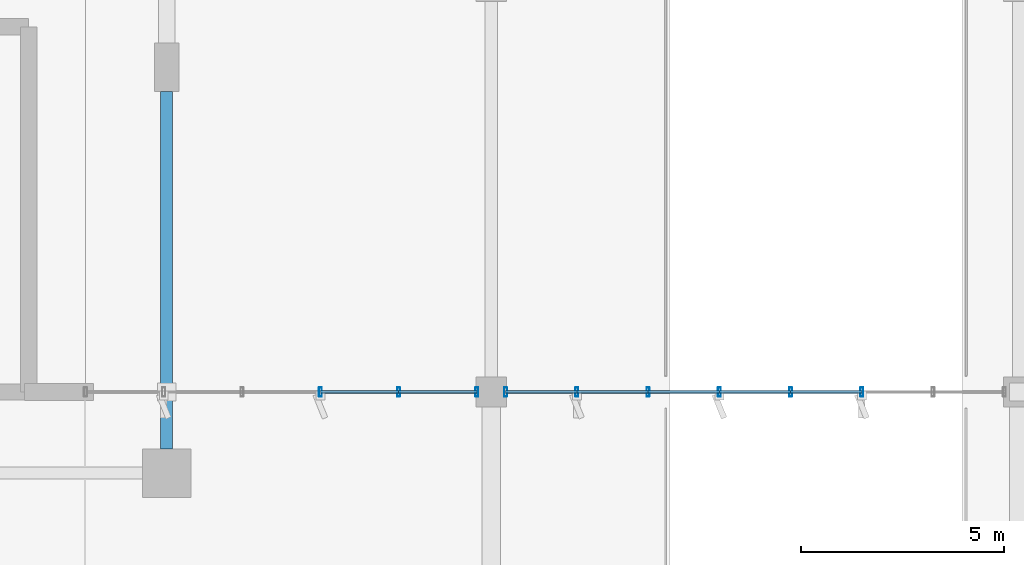
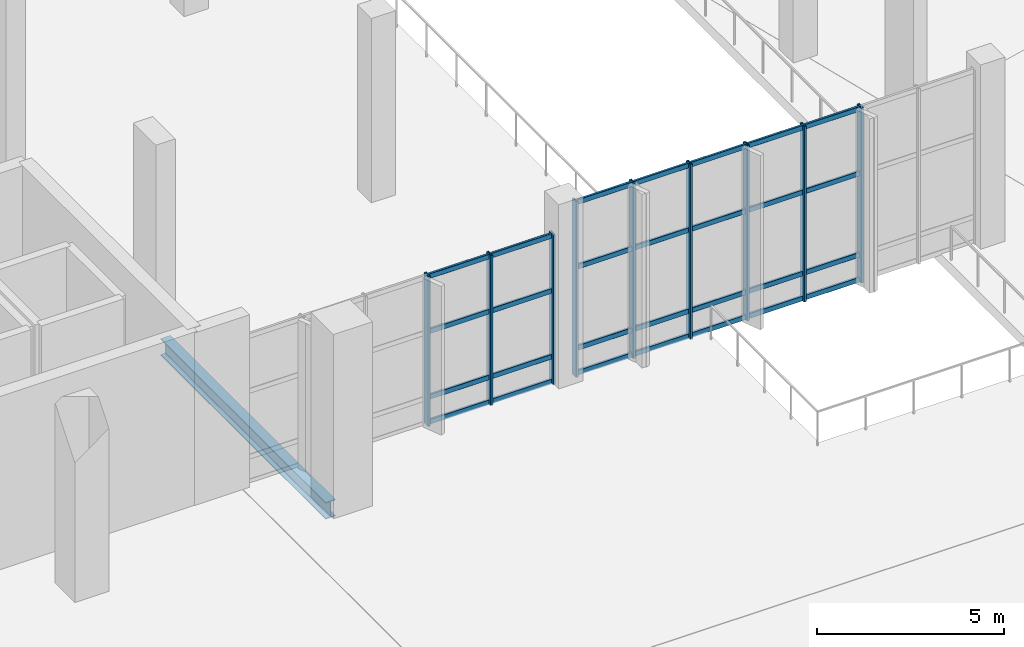
# One storey, part 81 of 163: 37 members, 1 beam, 2 elements without a shape of their own.
"""IFC4 building model written with IfcOpenShell, lengths in metres."""

from ifc_helpers import new_model, si_unit, direction, frame, origin, origin_2d, place, context, subcontext, project, spatial, hollow_rectangle, i_section, extrude, material, layer, layer_set, material_profile, profile_set, type_object, element, aggregate, save


model = new_model("IFC4")

# Units and contexts
model_context = context("Model", 3, precision=1e-05, world=origin(), true_north=direction((0.0, 1.0)))
body_context = subcontext(model_context, "Body", "Model", "MODEL_VIEW")
ifc_project = project(units=[si_unit("LENGTHUNIT", "METRE"), si_unit("AREAUNIT", "SQUARE_METRE"), si_unit("VOLUMEUNIT", "CUBIC_METRE"), si_unit("PLANEANGLEUNIT", "RADIAN"), si_unit("MASSUNIT", "GRAM", prefix="KILO")], contexts=[model_context])

# Site, building, storey
site_placement = place(None, origin())
site = spatial("IfcSite", under=ifc_project, at=site_placement, CompositionType="ELEMENT")
building_placement = place(site_placement, origin())
building = spatial("IfcBuilding", under=site, at=building_placement, Name="Khorjan Park Terminus", CompositionType="ELEMENT")
storey_placement = place(building_placement, origin())
storey = spatial("IfcBuildingStorey", under=building, at=storey_placement, Name="L00", CompositionType="ELEMENT", Elevation=0.0)

# Beam
ifc_material_1 = material(Name="Steel S355", Category="steel")
ifc_material_profile_1 = material_profile(ifc_material_1, i_section(OverallWidth=0.3, OverallDepth=0.55, WebThickness=0.015, FlangeThickness=0.029, FilletRadius=0.027, at=origin_2d()), Name="HEB 550")
ifc_profile_set_1 = profile_set([ifc_material_profile_1], Name="Steel S355")
beam_type = type_object("IfcBeamType", Name="BM-HEB550", PredefinedType="BEAM", material=ifc_profile_set_1)
beam_placement = place(storey_placement, frame((136.0, 26.595, -0.625), z_axis=(0.0, 1.0, 0.0), x_axis=(-1.0, 0.0, 0.0)))
element("IfcBeam", 1, at=beam_placement, inside=storey, type_object=beam_type, Name="Primary floor girder SB-B55 (L00)", PredefinedType="BEAM", context=body_context, shape_type="SweptSolid", body=[
    extrude(i_section(OverallWidth=0.3, OverallDepth=0.55, WebThickness=0.015, FlangeThickness=0.029, FilletRadius=0.027, at=origin_2d()), origin(), (0.0, 0.0, 1.0), 8.81),
])

# Curtain wall, members
ifc_material_2 = material(Name="Anodized Bronze Aluminium", Category="aluminium")
ifc_layer = layer(ifc_material_2, 0.22)
ifc_layer_set = layer_set([ifc_layer], Name="Anodized Bronze Aluminium")
curtain_wall_type = type_object("IfcCurtainWallType", Name="CW-OPS-B", PredefinedType="NOTDEFINED", material=ifc_layer_set)
curtain_wall_1_placement = place(storey_placement, origin())
curtain_wall_1 = element("IfcCurtainWall", 2, at=curtain_wall_1_placement, inside=storey, type_object=curtain_wall_type, Name="Unitized curtain wall CW-B (CW-V5L-S-L00-1)", PredefinedType="NOTDEFINED")
ifc_material_profile_2 = material_profile(ifc_material_2, hollow_rectangle(XDim=0.075, YDim=0.225, WallThickness=0.005, InnerFilletRadius=0.005, OuterFilletRadius=0.01, at=origin_2d()), Name="ALM 75x225x5")
ifc_profile_set_2 = profile_set([ifc_material_profile_2], Name="Anodized Bronze Aluminium")
member_type_1 = type_object("IfcMemberType", Name="ML-ALM-225", PredefinedType="MULLION", material=ifc_profile_set_2)
member_1_placement = place(storey_placement, frame((139.787, 28.0, -0.035), z_axis=(0.0, 0.0, 1.0), x_axis=(1.0, 0.0, 0.0)))
member_1 = element("IfcMember", 3, at=member_1_placement, type_object=member_type_1, Name="Curtain-wall mullion ML-22 (CW-V5L-S-L00-1-3)", PredefinedType="MULLION", context=body_context, shape_type="SweptSolid", body=[
    extrude(hollow_rectangle(XDim=0.075, YDim=0.225, WallThickness=0.005, InnerFilletRadius=0.005, OuterFilletRadius=0.01, at=origin_2d()), origin(), (0.0, 0.0, 1.0), 4.895),
])
member_2_placement = place(storey_placement, frame((141.716, 28.0, -0.035), z_axis=(0.0, 0.0, 1.0), x_axis=(1.0, 0.0, 0.0)))
member_2 = element("IfcMember", 4, at=member_2_placement, type_object=member_type_1, Name="Curtain-wall mullion ML-22 (CW-V5L-S-L00-1-4)", PredefinedType="MULLION", context=body_context, shape_type="SweptSolid", body=[
    extrude(hollow_rectangle(XDim=0.075, YDim=0.225, WallThickness=0.005, InnerFilletRadius=0.005, OuterFilletRadius=0.01, at=origin_2d()), origin(), (0.0, 0.0, 1.0), 4.895),
])
member_3_placement = place(storey_placement, frame((143.645, 28.0, -0.035), z_axis=(0.0, 0.0, 1.0), x_axis=(1.0, 0.0, 0.0)))
member_3 = element("IfcMember", 5, at=member_3_placement, type_object=member_type_1, Name="Curtain-wall mullion ML-22 (CW-V5L-S-L00-1-5)", PredefinedType="MULLION", context=body_context, shape_type="SweptSolid", body=[
    extrude(hollow_rectangle(XDim=0.075, YDim=0.225, WallThickness=0.005, InnerFilletRadius=0.005, OuterFilletRadius=0.01, at=origin_2d()), origin(), (0.0, 0.0, 1.0), 4.895),
])

curtain_wall_2_placement = place(storey_placement, origin())
curtain_wall_2 = element("IfcCurtainWall", 6, at=curtain_wall_2_placement, inside=storey, type_object=curtain_wall_type, Name="Unitized curtain wall CW-B (CW-V5L-S-L00-2)", PredefinedType="NOTDEFINED")
member_4_placement = place(storey_placement, frame((144.355, 28.0, -0.035), z_axis=(0.0, 0.0, 1.0), x_axis=(1.0, 0.0, 0.0)))
member_4 = element("IfcMember", 7, at=member_4_placement, type_object=member_type_1, Name="Curtain-wall mullion ML-22 (CW-V5L-S-L00-2-0)", PredefinedType="MULLION", context=body_context, shape_type="SweptSolid", body=[
    extrude(hollow_rectangle(XDim=0.075, YDim=0.225, WallThickness=0.005, InnerFilletRadius=0.005, OuterFilletRadius=0.01, at=origin_2d()), origin(), (0.0, 0.0, 1.0), 5.71),
])
member_5_placement = place(storey_placement, frame((146.1107, 28.0, -0.035), z_axis=(0.0, 0.0, 1.0), x_axis=(1.0, 0.0, 0.0)))
member_5 = element("IfcMember", 8, at=member_5_placement, type_object=member_type_1, Name="Curtain-wall mullion ML-22 (CW-V5L-S-L00-2-1)", PredefinedType="MULLION", context=body_context, shape_type="SweptSolid", body=[
    extrude(hollow_rectangle(XDim=0.075, YDim=0.225, WallThickness=0.005, InnerFilletRadius=0.005, OuterFilletRadius=0.01, at=origin_2d()), origin(), (0.0, 0.0, 1.0), 5.71),
])
member_6_placement = place(storey_placement, frame((147.8664, 28.0, -0.035), z_axis=(0.0, 0.0, 1.0), x_axis=(1.0, 0.0, 0.0)))
member_6 = element("IfcMember", 9, at=member_6_placement, type_object=member_type_1, Name="Curtain-wall mullion ML-22 (CW-V5L-S-L00-2-2)", PredefinedType="MULLION", context=body_context, shape_type="SweptSolid", body=[
    extrude(hollow_rectangle(XDim=0.075, YDim=0.225, WallThickness=0.005, InnerFilletRadius=0.005, OuterFilletRadius=0.01, at=origin_2d()), origin(), (0.0, 0.0, 1.0), 5.71),
])
member_7_placement = place(storey_placement, frame((149.6221, 28.0, -0.035), z_axis=(0.0, 0.0, 1.0), x_axis=(1.0, 0.0, 0.0)))
member_7 = element("IfcMember", 10, at=member_7_placement, type_object=member_type_1, Name="Curtain-wall mullion ML-22 (CW-V5L-S-L00-2-3)", PredefinedType="MULLION", context=body_context, shape_type="SweptSolid", body=[
    extrude(hollow_rectangle(XDim=0.075, YDim=0.225, WallThickness=0.005, InnerFilletRadius=0.005, OuterFilletRadius=0.01, at=origin_2d()), origin(), (0.0, 0.0, 1.0), 5.71),
])
member_8_placement = place(storey_placement, frame((151.3779, 28.0, -0.035), z_axis=(0.0, 0.0, 1.0), x_axis=(1.0, 0.0, 0.0)))
member_8 = element("IfcMember", 11, at=member_8_placement, type_object=member_type_1, Name="Curtain-wall mullion ML-22 (CW-V5L-S-L00-2-4)", PredefinedType="MULLION", context=body_context, shape_type="SweptSolid", body=[
    extrude(hollow_rectangle(XDim=0.075, YDim=0.225, WallThickness=0.005, InnerFilletRadius=0.005, OuterFilletRadius=0.01, at=origin_2d()), origin(), (0.0, 0.0, 1.0), 5.71),
])
member_9_placement = place(storey_placement, frame((153.1336, 28.0, -0.035), z_axis=(0.0, 0.0, 1.0), x_axis=(1.0, 0.0, 0.0)))
member_9 = element("IfcMember", 12, at=member_9_placement, type_object=member_type_1, Name="Curtain-wall mullion ML-22 (CW-V5L-S-L00-2-5)", PredefinedType="MULLION", context=body_context, shape_type="SweptSolid", body=[
    extrude(hollow_rectangle(XDim=0.075, YDim=0.225, WallThickness=0.005, InnerFilletRadius=0.005, OuterFilletRadius=0.01, at=origin_2d()), origin(), (0.0, 0.0, 1.0), 5.71),
])

# Member
ifc_material_profile_3 = material_profile(ifc_material_2, hollow_rectangle(XDim=0.07, YDim=0.16, WallThickness=0.004, InnerFilletRadius=0.004, OuterFilletRadius=0.008, at=origin_2d()), Name="ALT 70x160x4")
ifc_profile_set_3 = profile_set([ifc_material_profile_3], Name="Anodized Bronze Aluminium")
member_type_2 = type_object("IfcMemberType", Name="TR-ALT-160", PredefinedType="USERDEFINED", material=ifc_profile_set_3)
member_10_placement = place(storey_placement, frame((139.787, 28.0, 0.04), z_axis=(1.0, 0.0, 0.0), x_axis=(0.0, 1.0, 0.0)))
member_10 = element("IfcMember", 13, at=member_10_placement, type_object=member_type_2, Name="Curtain-wall transom TR-16 (CW-V5L-S-L00-1-3-1)", ObjectType="TRANSOM", PredefinedType="USERDEFINED", context=body_context, shape_type="SweptSolid", body=[
    extrude(hollow_rectangle(XDim=0.07, YDim=0.16, WallThickness=0.004, InnerFilletRadius=0.004, OuterFilletRadius=0.008, at=origin_2d()), origin(), (0.0, 0.0, 1.0), 1.929),
])

member_11_placement = place(storey_placement, frame((139.787, 28.0, 0.85), z_axis=(1.0, 0.0, 0.0), x_axis=(0.0, 1.0, 0.0)))
member_11 = element("IfcMember", 14, at=member_11_placement, type_object=member_type_2, Name="Curtain-wall transom TR-16 (CW-V5L-S-L00-1-3-2)", ObjectType="TRANSOM", PredefinedType="USERDEFINED", context=body_context, shape_type="SweptSolid", body=[
    extrude(hollow_rectangle(XDim=0.07, YDim=0.16, WallThickness=0.004, InnerFilletRadius=0.004, OuterFilletRadius=0.008, at=origin_2d()), origin(), (0.0, 0.0, 1.0), 1.929),
])

member_12_placement = place(storey_placement, frame((139.787, 28.0, 2.9915), z_axis=(1.0, 0.0, 0.0), x_axis=(0.0, 1.0, 0.0)))
member_12 = element("IfcMember", 15, at=member_12_placement, type_object=member_type_2, Name="Curtain-wall transom TR-16 (CW-V5L-S-L00-1-3-3)", ObjectType="TRANSOM", PredefinedType="USERDEFINED", context=body_context, shape_type="SweptSolid", body=[
    extrude(hollow_rectangle(XDim=0.07, YDim=0.16, WallThickness=0.004, InnerFilletRadius=0.004, OuterFilletRadius=0.008, at=origin_2d()), origin(), (0.0, 0.0, 1.0), 1.929),
])

member_13_placement = place(storey_placement, frame((139.787, 28.0, 4.785), z_axis=(1.0, 0.0, 0.0), x_axis=(0.0, 1.0, 0.0)))
member_13 = element("IfcMember", 16, at=member_13_placement, type_object=member_type_2, Name="Curtain-wall transom TR-16 (CW-V5L-S-L00-1-3-4)", ObjectType="TRANSOM", PredefinedType="USERDEFINED", context=body_context, shape_type="SweptSolid", body=[
    extrude(hollow_rectangle(XDim=0.07, YDim=0.16, WallThickness=0.004, InnerFilletRadius=0.004, OuterFilletRadius=0.008, at=origin_2d()), origin(), (0.0, 0.0, 1.0), 1.929),
])

member_14_placement = place(storey_placement, frame((141.716, 28.0, 0.04), z_axis=(1.0, 0.0, 0.0), x_axis=(0.0, 1.0, 0.0)))
member_14 = element("IfcMember", 17, at=member_14_placement, type_object=member_type_2, Name="Curtain-wall transom TR-16 (CW-V5L-S-L00-1-4-1)", ObjectType="TRANSOM", PredefinedType="USERDEFINED", context=body_context, shape_type="SweptSolid", body=[
    extrude(hollow_rectangle(XDim=0.07, YDim=0.16, WallThickness=0.004, InnerFilletRadius=0.004, OuterFilletRadius=0.008, at=origin_2d()), origin(), (0.0, 0.0, 1.0), 1.929),
])

member_15_placement = place(storey_placement, frame((141.716, 28.0, 0.85), z_axis=(1.0, 0.0, 0.0), x_axis=(0.0, 1.0, 0.0)))
member_15 = element("IfcMember", 18, at=member_15_placement, type_object=member_type_2, Name="Curtain-wall transom TR-16 (CW-V5L-S-L00-1-4-2)", ObjectType="TRANSOM", PredefinedType="USERDEFINED", context=body_context, shape_type="SweptSolid", body=[
    extrude(hollow_rectangle(XDim=0.07, YDim=0.16, WallThickness=0.004, InnerFilletRadius=0.004, OuterFilletRadius=0.008, at=origin_2d()), origin(), (0.0, 0.0, 1.0), 1.929),
])

member_16_placement = place(storey_placement, frame((141.716, 28.0, 2.9915), z_axis=(1.0, 0.0, 0.0), x_axis=(0.0, 1.0, 0.0)))
member_16 = element("IfcMember", 19, at=member_16_placement, type_object=member_type_2, Name="Curtain-wall transom TR-16 (CW-V5L-S-L00-1-4-3)", ObjectType="TRANSOM", PredefinedType="USERDEFINED", context=body_context, shape_type="SweptSolid", body=[
    extrude(hollow_rectangle(XDim=0.07, YDim=0.16, WallThickness=0.004, InnerFilletRadius=0.004, OuterFilletRadius=0.008, at=origin_2d()), origin(), (0.0, 0.0, 1.0), 1.929),
])

member_17_placement = place(storey_placement, frame((141.716, 28.0, 4.785), z_axis=(1.0, 0.0, 0.0), x_axis=(0.0, 1.0, 0.0)))
member_17 = element("IfcMember", 20, at=member_17_placement, type_object=member_type_2, Name="Curtain-wall transom TR-16 (CW-V5L-S-L00-1-4-4)", ObjectType="TRANSOM", PredefinedType="USERDEFINED", context=body_context, shape_type="SweptSolid", body=[
    extrude(hollow_rectangle(XDim=0.07, YDim=0.16, WallThickness=0.004, InnerFilletRadius=0.004, OuterFilletRadius=0.008, at=origin_2d()), origin(), (0.0, 0.0, 1.0), 1.929),
])

aggregate(curtain_wall_1, [member_1, member_2, member_3, member_10, member_11, member_12, member_13, member_14, member_15, member_16, member_17])

member_18_placement = place(storey_placement, frame((144.355, 28.0, 0.04), z_axis=(1.0, 0.0, 0.0), x_axis=(0.0, 1.0, 0.0)))
member_18 = element("IfcMember", 21, at=member_18_placement, type_object=member_type_2, Name="Curtain-wall transom TR-16 (CW-V5L-S-L00-2-0-1)", ObjectType="TRANSOM", PredefinedType="USERDEFINED", context=body_context, shape_type="SweptSolid", body=[
    extrude(hollow_rectangle(XDim=0.07, YDim=0.16, WallThickness=0.004, InnerFilletRadius=0.004, OuterFilletRadius=0.008, at=origin_2d()), origin(), (0.0, 0.0, 1.0), 1.7557),
])

member_19_placement = place(storey_placement, frame((144.355, 28.0, 0.85), z_axis=(1.0, 0.0, 0.0), x_axis=(0.0, 1.0, 0.0)))
member_19 = element("IfcMember", 22, at=member_19_placement, type_object=member_type_2, Name="Curtain-wall transom TR-16 (CW-V5L-S-L00-2-0-2)", ObjectType="TRANSOM", PredefinedType="USERDEFINED", context=body_context, shape_type="SweptSolid", body=[
    extrude(hollow_rectangle(XDim=0.07, YDim=0.16, WallThickness=0.004, InnerFilletRadius=0.004, OuterFilletRadius=0.008, at=origin_2d()), origin(), (0.0, 0.0, 1.0), 1.7557),
])

member_20_placement = place(storey_placement, frame((144.355, 28.0, 3.4968), z_axis=(1.0, 0.0, 0.0), x_axis=(0.0, 1.0, 0.0)))
member_20 = element("IfcMember", 23, at=member_20_placement, type_object=member_type_2, Name="Curtain-wall transom TR-16 (CW-V5L-S-L00-2-0-3)", ObjectType="TRANSOM", PredefinedType="USERDEFINED", context=body_context, shape_type="SweptSolid", body=[
    extrude(hollow_rectangle(XDim=0.07, YDim=0.16, WallThickness=0.004, InnerFilletRadius=0.004, OuterFilletRadius=0.008, at=origin_2d()), origin(), (0.0, 0.0, 1.0), 1.7557),
])

member_21_placement = place(storey_placement, frame((144.355, 28.0, 5.6), z_axis=(1.0, 0.0, 0.0), x_axis=(0.0, 1.0, 0.0)))
member_21 = element("IfcMember", 24, at=member_21_placement, type_object=member_type_2, Name="Curtain-wall transom TR-16 (CW-V5L-S-L00-2-0-4)", ObjectType="TRANSOM", PredefinedType="USERDEFINED", context=body_context, shape_type="SweptSolid", body=[
    extrude(hollow_rectangle(XDim=0.07, YDim=0.16, WallThickness=0.004, InnerFilletRadius=0.004, OuterFilletRadius=0.008, at=origin_2d()), origin(), (0.0, 0.0, 1.0), 1.7557),
])

member_22_placement = place(storey_placement, frame((146.1107, 28.0, 0.04), z_axis=(1.0, 0.0, 0.0), x_axis=(0.0, 1.0, 0.0)))
member_22 = element("IfcMember", 25, at=member_22_placement, type_object=member_type_2, Name="Curtain-wall transom TR-16 (CW-V5L-S-L00-2-1-1)", ObjectType="TRANSOM", PredefinedType="USERDEFINED", context=body_context, shape_type="SweptSolid", body=[
    extrude(hollow_rectangle(XDim=0.07, YDim=0.16, WallThickness=0.004, InnerFilletRadius=0.004, OuterFilletRadius=0.008, at=origin_2d()), origin(), (0.0, 0.0, 1.0), 1.7557),
])

member_23_placement = place(storey_placement, frame((146.1107, 28.0, 0.85), z_axis=(1.0, 0.0, 0.0), x_axis=(0.0, 1.0, 0.0)))
member_23 = element("IfcMember", 26, at=member_23_placement, type_object=member_type_2, Name="Curtain-wall transom TR-16 (CW-V5L-S-L00-2-1-2)", ObjectType="TRANSOM", PredefinedType="USERDEFINED", context=body_context, shape_type="SweptSolid", body=[
    extrude(hollow_rectangle(XDim=0.07, YDim=0.16, WallThickness=0.004, InnerFilletRadius=0.004, OuterFilletRadius=0.008, at=origin_2d()), origin(), (0.0, 0.0, 1.0), 1.7557),
])

member_24_placement = place(storey_placement, frame((146.1107, 28.0, 3.4968), z_axis=(1.0, 0.0, 0.0), x_axis=(0.0, 1.0, 0.0)))
member_24 = element("IfcMember", 27, at=member_24_placement, type_object=member_type_2, Name="Curtain-wall transom TR-16 (CW-V5L-S-L00-2-1-3)", ObjectType="TRANSOM", PredefinedType="USERDEFINED", context=body_context, shape_type="SweptSolid", body=[
    extrude(hollow_rectangle(XDim=0.07, YDim=0.16, WallThickness=0.004, InnerFilletRadius=0.004, OuterFilletRadius=0.008, at=origin_2d()), origin(), (0.0, 0.0, 1.0), 1.7557),
])

member_25_placement = place(storey_placement, frame((146.1107, 28.0, 5.6), z_axis=(1.0, 0.0, 0.0), x_axis=(0.0, 1.0, 0.0)))
member_25 = element("IfcMember", 28, at=member_25_placement, type_object=member_type_2, Name="Curtain-wall transom TR-16 (CW-V5L-S-L00-2-1-4)", ObjectType="TRANSOM", PredefinedType="USERDEFINED", context=body_context, shape_type="SweptSolid", body=[
    extrude(hollow_rectangle(XDim=0.07, YDim=0.16, WallThickness=0.004, InnerFilletRadius=0.004, OuterFilletRadius=0.008, at=origin_2d()), origin(), (0.0, 0.0, 1.0), 1.7557),
])

member_26_placement = place(storey_placement, frame((147.8664, 28.0, 0.04), z_axis=(1.0, 0.0, 0.0), x_axis=(0.0, 1.0, 0.0)))
member_26 = element("IfcMember", 29, at=member_26_placement, type_object=member_type_2, Name="Curtain-wall transom TR-16 (CW-V5L-S-L00-2-2-1)", ObjectType="TRANSOM", PredefinedType="USERDEFINED", context=body_context, shape_type="SweptSolid", body=[
    extrude(hollow_rectangle(XDim=0.07, YDim=0.16, WallThickness=0.004, InnerFilletRadius=0.004, OuterFilletRadius=0.008, at=origin_2d()), origin(), (0.0, 0.0, 1.0), 1.7557),
])

member_27_placement = place(storey_placement, frame((147.8664, 28.0, 0.85), z_axis=(1.0, 0.0, 0.0), x_axis=(0.0, 1.0, 0.0)))
member_27 = element("IfcMember", 30, at=member_27_placement, type_object=member_type_2, Name="Curtain-wall transom TR-16 (CW-V5L-S-L00-2-2-2)", ObjectType="TRANSOM", PredefinedType="USERDEFINED", context=body_context, shape_type="SweptSolid", body=[
    extrude(hollow_rectangle(XDim=0.07, YDim=0.16, WallThickness=0.004, InnerFilletRadius=0.004, OuterFilletRadius=0.008, at=origin_2d()), origin(), (0.0, 0.0, 1.0), 1.7557),
])

member_28_placement = place(storey_placement, frame((147.8664, 28.0, 3.4968), z_axis=(1.0, 0.0, 0.0), x_axis=(0.0, 1.0, 0.0)))
member_28 = element("IfcMember", 31, at=member_28_placement, type_object=member_type_2, Name="Curtain-wall transom TR-16 (CW-V5L-S-L00-2-2-3)", ObjectType="TRANSOM", PredefinedType="USERDEFINED", context=body_context, shape_type="SweptSolid", body=[
    extrude(hollow_rectangle(XDim=0.07, YDim=0.16, WallThickness=0.004, InnerFilletRadius=0.004, OuterFilletRadius=0.008, at=origin_2d()), origin(), (0.0, 0.0, 1.0), 1.7557),
])

member_29_placement = place(storey_placement, frame((147.8664, 28.0, 5.6), z_axis=(1.0, 0.0, 0.0), x_axis=(0.0, 1.0, 0.0)))
member_29 = element("IfcMember", 32, at=member_29_placement, type_object=member_type_2, Name="Curtain-wall transom TR-16 (CW-V5L-S-L00-2-2-4)", ObjectType="TRANSOM", PredefinedType="USERDEFINED", context=body_context, shape_type="SweptSolid", body=[
    extrude(hollow_rectangle(XDim=0.07, YDim=0.16, WallThickness=0.004, InnerFilletRadius=0.004, OuterFilletRadius=0.008, at=origin_2d()), origin(), (0.0, 0.0, 1.0), 1.7557),
])

member_30_placement = place(storey_placement, frame((149.6221, 28.0, 0.04), z_axis=(1.0, 0.0, 0.0), x_axis=(0.0, 1.0, 0.0)))
member_30 = element("IfcMember", 33, at=member_30_placement, type_object=member_type_2, Name="Curtain-wall transom TR-16 (CW-V5L-S-L00-2-3-1)", ObjectType="TRANSOM", PredefinedType="USERDEFINED", context=body_context, shape_type="SweptSolid", body=[
    extrude(hollow_rectangle(XDim=0.07, YDim=0.16, WallThickness=0.004, InnerFilletRadius=0.004, OuterFilletRadius=0.008, at=origin_2d()), origin(), (0.0, 0.0, 1.0), 1.7558),
])

member_31_placement = place(storey_placement, frame((149.6221, 28.0, 0.85), z_axis=(1.0, 0.0, 0.0), x_axis=(0.0, 1.0, 0.0)))
member_31 = element("IfcMember", 34, at=member_31_placement, type_object=member_type_2, Name="Curtain-wall transom TR-16 (CW-V5L-S-L00-2-3-2)", ObjectType="TRANSOM", PredefinedType="USERDEFINED", context=body_context, shape_type="SweptSolid", body=[
    extrude(hollow_rectangle(XDim=0.07, YDim=0.16, WallThickness=0.004, InnerFilletRadius=0.004, OuterFilletRadius=0.008, at=origin_2d()), origin(), (0.0, 0.0, 1.0), 1.7558),
])

member_32_placement = place(storey_placement, frame((149.6221, 28.0, 3.4968), z_axis=(1.0, 0.0, 0.0), x_axis=(0.0, 1.0, 0.0)))
member_32 = element("IfcMember", 35, at=member_32_placement, type_object=member_type_2, Name="Curtain-wall transom TR-16 (CW-V5L-S-L00-2-3-3)", ObjectType="TRANSOM", PredefinedType="USERDEFINED", context=body_context, shape_type="SweptSolid", body=[
    extrude(hollow_rectangle(XDim=0.07, YDim=0.16, WallThickness=0.004, InnerFilletRadius=0.004, OuterFilletRadius=0.008, at=origin_2d()), origin(), (0.0, 0.0, 1.0), 1.7558),
])

member_33_placement = place(storey_placement, frame((149.6221, 28.0, 5.6), z_axis=(1.0, 0.0, 0.0), x_axis=(0.0, 1.0, 0.0)))
member_33 = element("IfcMember", 36, at=member_33_placement, type_object=member_type_2, Name="Curtain-wall transom TR-16 (CW-V5L-S-L00-2-3-4)", ObjectType="TRANSOM", PredefinedType="USERDEFINED", context=body_context, shape_type="SweptSolid", body=[
    extrude(hollow_rectangle(XDim=0.07, YDim=0.16, WallThickness=0.004, InnerFilletRadius=0.004, OuterFilletRadius=0.008, at=origin_2d()), origin(), (0.0, 0.0, 1.0), 1.7558),
])

member_34_placement = place(storey_placement, frame((151.3779, 28.0, 0.04), z_axis=(1.0, 0.0, 0.0), x_axis=(0.0, 1.0, 0.0)))
member_34 = element("IfcMember", 37, at=member_34_placement, type_object=member_type_2, Name="Curtain-wall transom TR-16 (CW-V5L-S-L00-2-4-1)", ObjectType="TRANSOM", PredefinedType="USERDEFINED", context=body_context, shape_type="SweptSolid", body=[
    extrude(hollow_rectangle(XDim=0.07, YDim=0.16, WallThickness=0.004, InnerFilletRadius=0.004, OuterFilletRadius=0.008, at=origin_2d()), origin(), (0.0, 0.0, 1.0), 1.7557),
])

member_35_placement = place(storey_placement, frame((151.3779, 28.0, 0.85), z_axis=(1.0, 0.0, 0.0), x_axis=(0.0, 1.0, 0.0)))
member_35 = element("IfcMember", 38, at=member_35_placement, type_object=member_type_2, Name="Curtain-wall transom TR-16 (CW-V5L-S-L00-2-4-2)", ObjectType="TRANSOM", PredefinedType="USERDEFINED", context=body_context, shape_type="SweptSolid", body=[
    extrude(hollow_rectangle(XDim=0.07, YDim=0.16, WallThickness=0.004, InnerFilletRadius=0.004, OuterFilletRadius=0.008, at=origin_2d()), origin(), (0.0, 0.0, 1.0), 1.7557),
])

member_36_placement = place(storey_placement, frame((151.3779, 28.0, 3.4968), z_axis=(1.0, 0.0, 0.0), x_axis=(0.0, 1.0, 0.0)))
member_36 = element("IfcMember", 39, at=member_36_placement, type_object=member_type_2, Name="Curtain-wall transom TR-16 (CW-V5L-S-L00-2-4-3)", ObjectType="TRANSOM", PredefinedType="USERDEFINED", context=body_context, shape_type="SweptSolid", body=[
    extrude(hollow_rectangle(XDim=0.07, YDim=0.16, WallThickness=0.004, InnerFilletRadius=0.004, OuterFilletRadius=0.008, at=origin_2d()), origin(), (0.0, 0.0, 1.0), 1.7557),
])

member_37_placement = place(storey_placement, frame((151.3779, 28.0, 5.6), z_axis=(1.0, 0.0, 0.0), x_axis=(0.0, 1.0, 0.0)))
member_37 = element("IfcMember", 40, at=member_37_placement, type_object=member_type_2, Name="Curtain-wall transom TR-16 (CW-V5L-S-L00-2-4-4)", ObjectType="TRANSOM", PredefinedType="USERDEFINED", context=body_context, shape_type="SweptSolid", body=[
    extrude(hollow_rectangle(XDim=0.07, YDim=0.16, WallThickness=0.004, InnerFilletRadius=0.004, OuterFilletRadius=0.008, at=origin_2d()), origin(), (0.0, 0.0, 1.0), 1.7557),
])

aggregate(curtain_wall_2, [member_4, member_5, member_6, member_7, member_8, member_9, member_18, member_19, member_20, member_21, member_22, member_23, member_24, member_25, member_26, member_27, member_28, member_29, member_30, member_31, member_32, member_33, member_34, member_35, member_36, member_37])

save(model, "model.ifc")
